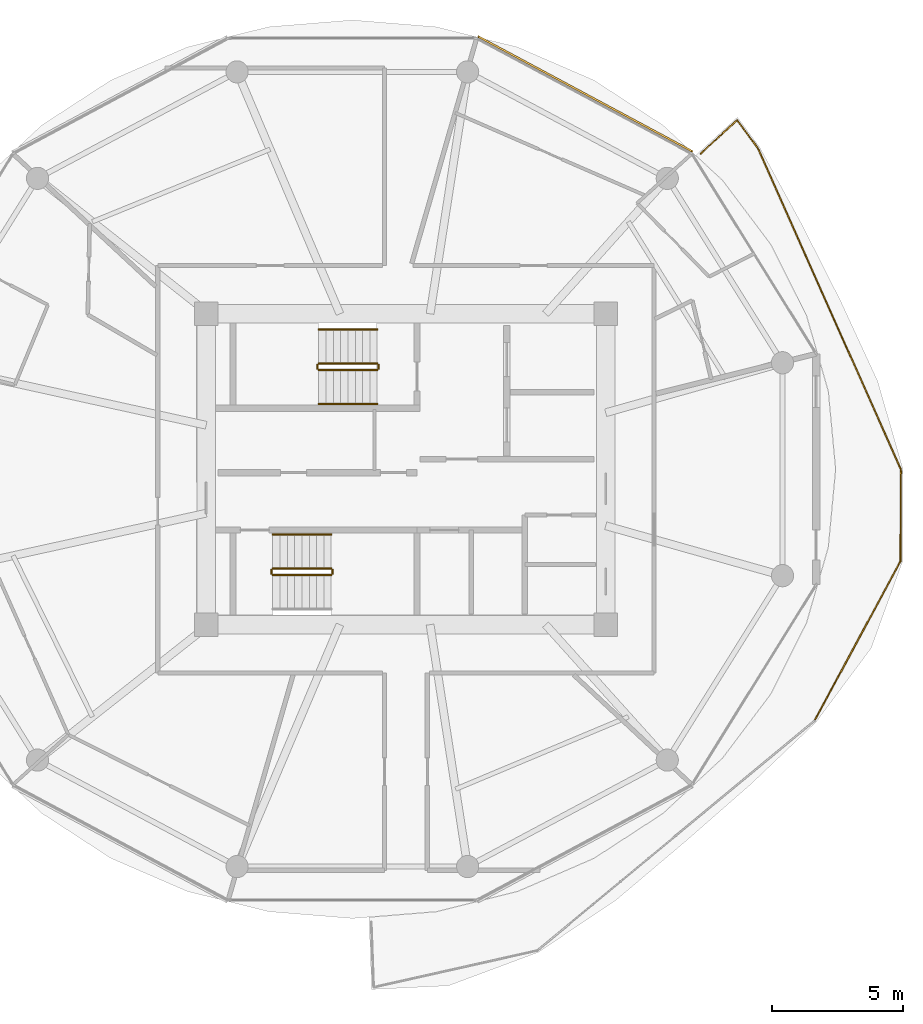
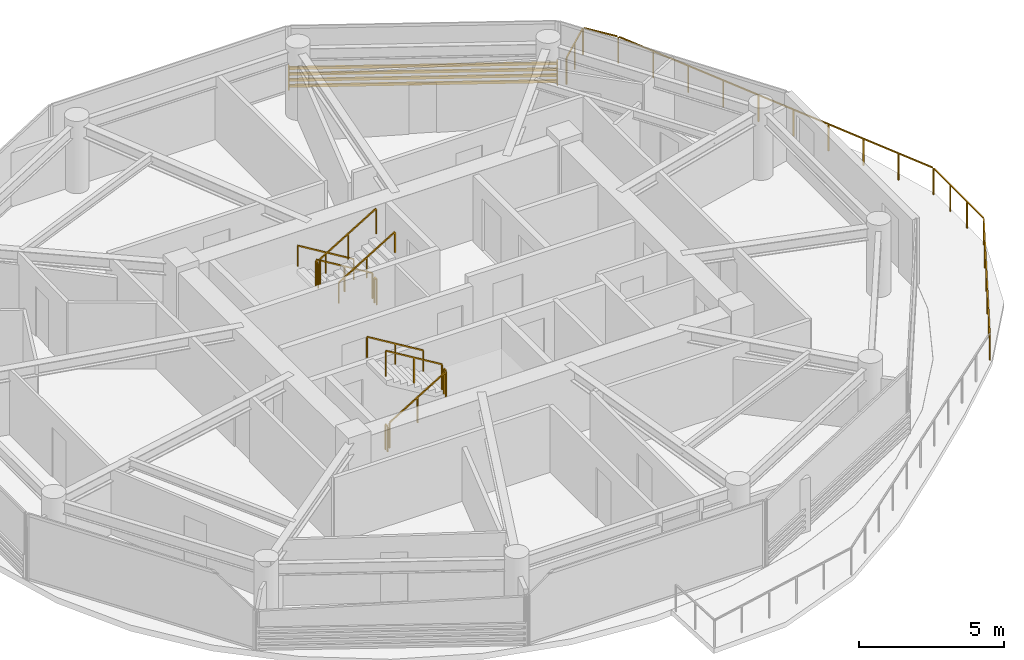
# One storey, part 22 of 22: 12 railings, 1 shading device.
"""IFC4 building model written with IfcOpenShell, lengths in metres."""

from ifc_helpers import new_model, si_unit, direction, frame, origin, origin_2d, place, context, subcontext, project, spatial, rectangle, extrude, source, transform, mapped, material, type_object, type_shapes, element, save


model = new_model("IFC4")

# Units and contexts
model_context = context("Model", 3, precision=1e-05, world=origin(), true_north=direction((0.0, 1.0)))
body_context = subcontext(model_context, "Body", "Model", "MODEL_VIEW")
ifc_project = project(units=[si_unit("LENGTHUNIT", "METRE"), si_unit("AREAUNIT", "SQUARE_METRE"), si_unit("VOLUMEUNIT", "CUBIC_METRE"), si_unit("PLANEANGLEUNIT", "RADIAN"), si_unit("MASSUNIT", "GRAM", prefix="KILO")], contexts=[model_context])

# Site, building, storey
site_placement = place(None, origin())
site = spatial("IfcSite", under=ifc_project, at=site_placement, CompositionType="ELEMENT")
building_placement = place(site_placement, origin())
building = spatial("IfcBuilding", under=site, at=building_placement, Name="Norrkilde Senior Care Towers", CompositionType="ELEMENT")
storey_placement = place(building_placement, frame((0.0, 0.0, 96.25)))
storey = spatial("IfcBuildingStorey", under=building, at=storey_placement, Name="L29", CompositionType="ELEMENT", Elevation=96.25)

# Railings
ifc_material_1 = material(Name="Anodised Aluminium", Category="aluminium")
railing_type_1 = type_object("IfcRailingType", Name="Balcony Swirl Ribbon Guardrail 1150", PredefinedType="GUARDRAIL", material=ifc_material_1)
railing_1_placement = place(storey_placement, frame((39.28173828125, 12.082763671875, 0.0)))
element("IfcRailing", 1, at=railing_1_placement, inside=storey, type_object=railing_type_1, Name="L29 Perimeter Safety Guard 02", PredefinedType="GUARDRAIL", context=body_context, shape_type="SweptSolid", body=[
    extrude(rectangle(XDim=0.048095703125, YDim=0.048095703125, at=origin_2d()), frame((0.0, 0.0, 1.1259765625), z_axis=(0.737988452356, 0.674813340257, 0.0), x_axis=(-0.674813340257, 0.737988452356, 0.0)), (0.0, 0.0, 1.0), 1.852783203125),
    extrude(rectangle(XDim=0.048095703125, YDim=0.048095703125, at=origin_2d()), frame((1.421875, 1.2451171875, 1.1259765625), z_axis=(0.596823970088, -0.802372200869, 0.0), x_axis=(0.802372200869, 0.596823970088, 0.0)), (0.0, 0.0, 1.0), 1.24853515625),
    extrude(rectangle(XDim=0.048095703125, YDim=0.048095703125, at=origin_2d()), frame((2.2080078125, 0.173095703125, 1.1259765625), z_axis=(0.406681646864, -0.91356994155, 0.0), x_axis=(0.91356994155, 0.406681646864, 0.0)), (0.0, 0.0, 1.0), 13.386474609375),
    extrude(rectangle(XDim=0.048095703125, YDim=0.048095703125, at=origin_2d()), frame((7.66845703125, -12.134521484375, 1.1259765625), z_axis=(-0.004043751362, -0.999991824004, 0.0), x_axis=(0.999991824004, -0.004043751362, 0.0)), (0.0, 0.0, 1.0), 3.419921875),
    extrude(rectangle(XDim=0.048095703125, YDim=0.048095703125, at=origin_2d()), frame((7.63525390625, -15.63134765625, 1.1259765625), z_axis=(-0.473801941217, -0.880631432836, 0.0), x_axis=(0.880631432836, -0.473801941217, 0.0)), (0.0, 0.0, 1.0), 6.89990234375),
    extrude(rectangle(XDim=0.0419921875, YDim=0.0419921875, at=origin_2d()), origin(), (0.0, 0.0, 1.0), 1.099853515625),
    extrude(rectangle(XDim=0.0419921875, YDim=0.0419921875, at=origin_2d()), frame((0.69873046875, 0.638916015625, 0.0)), (0.0, 0.0, 1.0), 1.099853515625),
    extrude(rectangle(XDim=0.0419921875, YDim=0.0419921875, at=origin_2d()), frame((1.3974609375, 1.27783203125, 0.0)), (0.0, 0.0, 1.0), 1.099853515625),
    extrude(rectangle(XDim=0.0419921875, YDim=0.0419921875, at=origin_2d()), frame((2.19140625, 0.21044921875, 0.0)), (0.0, 0.0, 1.0), 1.099853515625),
    extrude(rectangle(XDim=0.0419921875, YDim=0.0419921875, at=origin_2d()), frame((2.800048828125, -1.15673828125, 0.0)), (0.0, 0.0, 1.0), 1.099853515625),
    extrude(rectangle(XDim=0.0419921875, YDim=0.0419921875, at=origin_2d()), frame((3.40869140625, -2.52392578125, 0.0)), (0.0, 0.0, 1.0), 1.099853515625),
    extrude(rectangle(XDim=0.0419921875, YDim=0.0419921875, at=origin_2d()), frame((4.01708984375, -3.890869140625, 0.0)), (0.0, 0.0, 1.0), 1.099853515625),
    extrude(rectangle(XDim=0.0419921875, YDim=0.0419921875, at=origin_2d()), frame((4.625732421875, -5.258056640625, 0.0)), (0.0, 0.0, 1.0), 1.099853515625),
    extrude(rectangle(XDim=0.0419921875, YDim=0.0419921875, at=origin_2d()), frame((5.234375, -6.625244140625, 0.0)), (0.0, 0.0, 1.0), 1.099853515625),
    extrude(rectangle(XDim=0.0419921875, YDim=0.0419921875, at=origin_2d()), frame((5.843017578125, -7.992431640625, 0.0)), (0.0, 0.0, 1.0), 1.099853515625),
    extrude(rectangle(XDim=0.0419921875, YDim=0.0419921875, at=origin_2d()), frame((6.451416015625, -9.359375, 0.0)), (0.0, 0.0, 1.0), 1.099853515625),
    extrude(rectangle(XDim=0.0419921875, YDim=0.0419921875, at=origin_2d()), frame((7.06005859375, -10.7265625, 0.0)), (0.0, 0.0, 1.0), 1.099853515625),
    extrude(rectangle(XDim=0.0419921875, YDim=0.0419921875, at=origin_2d()), frame((7.668701171875, -12.09375, 0.0)), (0.0, 0.0, 1.0), 1.099853515625),
    extrude(rectangle(XDim=0.0419921875, YDim=0.0419921875, at=origin_2d()), frame((7.6640625, -13.260986328125, 0.0)), (0.0, 0.0, 1.0), 1.099853515625),
    extrude(rectangle(XDim=0.0419921875, YDim=0.0419921875, at=origin_2d()), frame((7.6591796875, -14.42822265625, 0.0)), (0.0, 0.0, 1.0), 1.099853515625),
    extrude(rectangle(XDim=0.0419921875, YDim=0.0419921875, at=origin_2d()), frame((7.654541015625, -15.595458984375, 0.0)), (0.0, 0.0, 1.0), 1.099853515625),
    extrude(rectangle(XDim=0.0419921875, YDim=0.0419921875, at=origin_2d()), frame((6.996826171875, -16.81787109375, 0.0)), (0.0, 0.0, 1.0), 1.099853515625),
    extrude(rectangle(XDim=0.0419921875, YDim=0.0419921875, at=origin_2d()), frame((6.339111328125, -18.040283203125, 0.0)), (0.0, 0.0, 1.0), 1.099853515625),
    extrude(rectangle(XDim=0.0419921875, YDim=0.0419921875, at=origin_2d()), frame((5.681396484375, -19.262939453125, 0.0)), (0.0, 0.0, 1.0), 1.099853515625),
    extrude(rectangle(XDim=0.0419921875, YDim=0.0419921875, at=origin_2d()), frame((5.023681640625, -20.4853515625, 0.0)), (0.0, 0.0, 1.0), 1.099853515625),
    extrude(rectangle(XDim=0.0419921875, YDim=0.0419921875, at=origin_2d()), frame((4.365966796875, -21.707763671875, 0.0)), (0.0, 0.0, 1.0), 1.099853515625),
])
ifc_material_2 = material(Name="Stainless Steel", Category="steel")
railing_type_2 = type_object("IfcRailingType", Name="Stair and Terrace Guardrail 1100", PredefinedType="GUARDRAIL", material=ifc_material_2)
railing_2_placement = place(storey_placement, frame((26.89990234375, 4.050048828125, 0.16943359375)))
element("IfcRailing", 2, at=railing_2_placement, inside=storey, type_object=railing_type_2, Name="L29 ST-E1 stair guard 1", PredefinedType="GUARDRAIL", context=body_context, shape_type="SweptSolid", body=[
    extrude(rectangle(XDim=0.048095703125, YDim=0.048095703125, at=origin_2d()), frame((0.0, 0.0, 1.076171875), z_axis=(-0.855553338991, 0.0, 0.51771467445), x_axis=(0.0, -1.0, 0.0)), (0.0, 0.0, 1.0), 2.6181640625),
    extrude(rectangle(XDim=0.0419921875, YDim=0.0419921875, at=origin_2d()), origin(), (0.0, 0.0, 1.0), 1.050048828125),
    extrude(rectangle(XDim=0.0419921875, YDim=0.0419921875, at=origin_2d()), frame((-1.1201171875, 0.0, 0.677734375)), (0.0, 0.0, 1.0), 1.050048828125),
    extrude(rectangle(XDim=0.0419921875, YDim=0.0419921875, at=origin_2d()), frame((-2.239990234375, 0.0, 1.35546875)), (0.0, 0.0, 1.0), 1.050048828125),
])
railing_3_placement = place(storey_placement, frame((24.610107421875, 4.0, 1.52490234375)))
element("IfcRailing", 3, at=railing_3_placement, inside=storey, type_object=railing_type_2, Name="L29 ST-E1 stair guard 2", PredefinedType="GUARDRAIL", context=body_context, shape_type="SweptSolid", body=[
    extrude(rectangle(XDim=0.048095703125, YDim=0.048095703125, at=origin_2d()), frame((0.0, 0.0, 1.076171875), z_axis=(0.0, -1.0, 0.0), x_axis=(1.0, 0.0, 0.0)), (0.0, 0.0, 1.0), 0.14990234375),
    extrude(rectangle(XDim=0.0419921875, YDim=0.0419921875, at=origin_2d()), origin(), (0.0, 0.0, 1.0), 1.050048828125),
    extrude(rectangle(XDim=0.0419921875, YDim=0.0419921875, at=origin_2d()), frame((0.0, -0.14990234375, 0.0)), (0.0, 0.0, 1.0), 1.050048828125),
])
railing_4_placement = place(storey_placement, frame((24.659912109375, 3.800048828125, 1.6943359375)))
element("IfcRailing", 4, at=railing_4_placement, inside=storey, type_object=railing_type_2, Name="L29 ST-E1 stair guard 3", PredefinedType="GUARDRAIL", context=body_context, shape_type="SweptSolid", body=[
    extrude(rectangle(XDim=0.048095703125, YDim=0.048095703125, at=origin_2d()), frame((0.0, 0.0, 1.076171875), z_axis=(0.855512035549, 0.0, 0.517782924622), x_axis=(0.0, 1.0, 0.0)), (0.0, 0.0, 1.0), 2.618408203125),
    extrude(rectangle(XDim=0.0419921875, YDim=0.0419921875, at=origin_2d()), origin(), (0.0, 0.0, 1.0), 1.050048828125),
    extrude(rectangle(XDim=0.0419921875, YDim=0.0419921875, at=origin_2d()), frame((1.1201171875, 0.0, 0.677734375)), (0.0, 0.0, 1.0), 1.050048828125),
    extrude(rectangle(XDim=0.0419921875, YDim=0.0419921875, at=origin_2d()), frame((2.239990234375, 0.0, 1.355712890625)), (0.0, 0.0, 1.0), 1.050048828125),
])
railing_5_placement = place(storey_placement, frame((26.949951171875, 4.0, 0.0)))
element("IfcRailing", 5, at=railing_5_placement, inside=storey, type_object=railing_type_2, Name="L29 ST-E1 stair guard 4", PredefinedType="GUARDRAIL", context=body_context, shape_type="SweptSolid", body=[
    extrude(rectangle(XDim=0.048095703125, YDim=0.048095703125, at=origin_2d()), frame((0.0, 0.0, 1.076171875), z_axis=(0.0, -1.0, 0.0), x_axis=(1.0, 0.0, 0.0)), (0.0, 0.0, 1.0), 0.14990234375),
    extrude(rectangle(XDim=0.0419921875, YDim=0.0419921875, at=origin_2d()), origin(), (0.0, 0.0, 1.0), 1.050048828125),
    extrude(rectangle(XDim=0.0419921875, YDim=0.0419921875, at=origin_2d()), frame((0.0, -0.14990234375, 0.0)), (0.0, 0.0, 1.0), 1.050048828125),
])
railing_6_placement = place(storey_placement, frame((22.89990234375, -4.050048828125, 0.16943359375)))
element("IfcRailing", 6, at=railing_6_placement, inside=storey, type_object=railing_type_2, Name="L29 ST-E2 stair guard 1", PredefinedType="GUARDRAIL", context=body_context, shape_type="SweptSolid", body=[
    extrude(rectangle(XDim=0.048095703125, YDim=0.048095703125, at=origin_2d()), frame((0.0, 0.0, 1.076171875), z_axis=(0.855553338991, 0.0, 0.51771467445), x_axis=(0.0, 1.0, 0.0)), (0.0, 0.0, 1.0), 2.6181640625),
    extrude(rectangle(XDim=0.0419921875, YDim=0.0419921875, at=origin_2d()), origin(), (0.0, 0.0, 1.0), 1.050048828125),
    extrude(rectangle(XDim=0.0419921875, YDim=0.0419921875, at=origin_2d()), frame((1.1201171875, 0.0, 0.677734375)), (0.0, 0.0, 1.0), 1.050048828125),
    extrude(rectangle(XDim=0.0419921875, YDim=0.0419921875, at=origin_2d()), frame((2.239990234375, 0.0, 1.35546875)), (0.0, 0.0, 1.0), 1.050048828125),
])
railing_7_placement = place(storey_placement, frame((25.18994140625, -4.0, 1.52490234375)))
element("IfcRailing", 7, at=railing_7_placement, inside=storey, type_object=railing_type_2, Name="L29 ST-E2 stair guard 2", PredefinedType="GUARDRAIL", context=body_context, shape_type="SweptSolid", body=[
    extrude(rectangle(XDim=0.048095703125, YDim=0.048095703125, at=origin_2d()), frame((0.0, 0.0, 1.076171875), z_axis=(0.0, 1.0, 0.0), x_axis=(-1.0, 0.0, 0.0)), (0.0, 0.0, 1.0), 0.14990234375),
    extrude(rectangle(XDim=0.0419921875, YDim=0.0419921875, at=origin_2d()), origin(), (0.0, 0.0, 1.0), 1.050048828125),
    extrude(rectangle(XDim=0.0419921875, YDim=0.0419921875, at=origin_2d()), frame((0.0, 0.14990234375, 0.0)), (0.0, 0.0, 1.0), 1.050048828125),
])
railing_8_placement = place(storey_placement, frame((25.139892578125, -3.800048828125, 1.6943359375)))
element("IfcRailing", 8, at=railing_8_placement, inside=storey, type_object=railing_type_2, Name="L29 ST-E2 stair guard 3", PredefinedType="GUARDRAIL", context=body_context, shape_type="SweptSolid", body=[
    extrude(rectangle(XDim=0.048095703125, YDim=0.048095703125, at=origin_2d()), frame((0.0, 0.0, 1.076171875), z_axis=(-0.855512035549, 0.0, 0.517782924622), x_axis=(0.0, -1.0, 0.0)), (0.0, 0.0, 1.0), 2.618408203125),
    extrude(rectangle(XDim=0.0419921875, YDim=0.0419921875, at=origin_2d()), origin(), (0.0, 0.0, 1.0), 1.050048828125),
    extrude(rectangle(XDim=0.0419921875, YDim=0.0419921875, at=origin_2d()), frame((-1.1201171875, 0.0, 0.677734375)), (0.0, 0.0, 1.0), 1.050048828125),
    extrude(rectangle(XDim=0.0419921875, YDim=0.0419921875, at=origin_2d()), frame((-2.239990234375, 0.0, 1.355712890625)), (0.0, 0.0, 1.0), 1.050048828125),
])
railing_9_placement = place(storey_placement, frame((22.85009765625, -4.0, 0.0)))
element("IfcRailing", 9, at=railing_9_placement, inside=storey, type_object=railing_type_2, Name="L29 ST-E2 stair guard 4", PredefinedType="GUARDRAIL", context=body_context, shape_type="SweptSolid", body=[
    extrude(rectangle(XDim=0.048095703125, YDim=0.048095703125, at=origin_2d()), frame((0.0, 0.0, 1.076171875), z_axis=(0.0, 1.0, 0.0), x_axis=(-1.0, 0.0, 0.0)), (0.0, 0.0, 1.0), 0.14990234375),
    extrude(rectangle(XDim=0.0419921875, YDim=0.0419921875, at=origin_2d()), origin(), (0.0, 0.0, 1.0), 1.050048828125),
    extrude(rectangle(XDim=0.0419921875, YDim=0.0419921875, at=origin_2d()), frame((0.0, 0.14990234375, 0.0)), (0.0, 0.0, 1.0), 1.050048828125),
])
ifc_material_3 = material(Name="Nordic Ash Timber", Category="wood")
railing_type_3 = type_object("IfcRailingType", Name="Wall and Stair Handrail 900", PredefinedType="HANDRAIL", material=ifc_material_3)
railing_10_placement = place(storey_placement, frame((26.89990234375, 5.35009765625, 0.16943359375)))
element("IfcRailing", 10, at=railing_10_placement, inside=storey, type_object=railing_type_3, Name="L29 ST-E1 stair handrail 1", PredefinedType="HANDRAIL", context=body_context, shape_type="SweptSolid", body=[
    extrude(rectangle(XDim=0.048095703125, YDim=0.048095703125, at=origin_2d()), frame((0.0, 0.0, 0.8759765625), z_axis=(-0.855553338991, 0.0, 0.51771467445), x_axis=(0.0, -1.0, 0.0)), (0.0, 0.0, 1.0), 2.6181640625),
    extrude(rectangle(XDim=0.0419921875, YDim=0.0419921875, at=origin_2d()), origin(), (0.0, 0.0, 1.0), 0.849853515625),
    extrude(rectangle(XDim=0.0419921875, YDim=0.0419921875, at=origin_2d()), frame((-1.1201171875, 0.0, 0.677734375)), (0.0, 0.0, 1.0), 0.849853515625),
    extrude(rectangle(XDim=0.0419921875, YDim=0.0419921875, at=origin_2d()), frame((-2.239990234375, 0.0, 1.35546875)), (0.0, 0.0, 1.0), 0.849853515625),
])
railing_11_placement = place(storey_placement, frame((24.659912109375, 2.5, 1.6943359375)))
element("IfcRailing", 11, at=railing_11_placement, inside=storey, type_object=railing_type_3, Name="L29 ST-E1 stair handrail 2", PredefinedType="HANDRAIL", context=body_context, shape_type="SweptSolid", body=[
    extrude(rectangle(XDim=0.048095703125, YDim=0.048095703125, at=origin_2d()), frame((0.0, 0.0, 0.8759765625), z_axis=(0.855512035549, 0.0, 0.517782924622), x_axis=(0.0, 1.0, 0.0)), (0.0, 0.0, 1.0), 2.618408203125),
    extrude(rectangle(XDim=0.0419921875, YDim=0.0419921875, at=origin_2d()), origin(), (0.0, 0.0, 1.0), 0.849853515625),
    extrude(rectangle(XDim=0.0419921875, YDim=0.0419921875, at=origin_2d()), frame((1.1201171875, 0.0, 0.677734375)), (0.0, 0.0, 1.0), 0.849853515625),
    extrude(rectangle(XDim=0.0419921875, YDim=0.0419921875, at=origin_2d()), frame((2.239990234375, 0.0, 1.355712890625)), (0.0, 0.0, 1.0), 0.849853515625),
])
railing_12_placement = place(storey_placement, frame((25.139892578125, -2.5, 1.6943359375)))
element("IfcRailing", 12, at=railing_12_placement, inside=storey, type_object=railing_type_3, Name="L29 ST-E2 stair handrail 2", PredefinedType="HANDRAIL", context=body_context, shape_type="SweptSolid", body=[
    extrude(rectangle(XDim=0.048095703125, YDim=0.048095703125, at=origin_2d()), frame((0.0, 0.0, 0.8759765625), z_axis=(-0.855512035549, 0.0, 0.517782924622), x_axis=(0.0, -1.0, 0.0)), (0.0, 0.0, 1.0), 2.618408203125),
    extrude(rectangle(XDim=0.0419921875, YDim=0.0419921875, at=origin_2d()), origin(), (0.0, 0.0, 1.0), 0.849853515625),
    extrude(rectangle(XDim=0.0419921875, YDim=0.0419921875, at=origin_2d()), frame((-1.1201171875, 0.0, 0.677734375)), (0.0, 0.0, 1.0), 0.849853515625),
    extrude(rectangle(XDim=0.0419921875, YDim=0.0419921875, at=origin_2d()), frame((-2.239990234375, 0.0, 1.355712890625)), (0.0, 0.0, 1.0), 0.849853515625),
])

# Shading device
ifc_material_4 = material(Name="Architectural Terracotta", Category="masonry")
shading_device_type = type_object("IfcShadingDeviceType", Name="Horizontal Terracotta Baguette Rack", PredefinedType="USERDEFINED", material=ifc_material_4)
shared_shape = source(origin(), body_context, "Body", "SweptSolid", [
    extrude(rectangle(XDim=0.070068359375, YDim=0.110107421875, at=origin_2d()), frame((0.0, 0.090087890625, 0.125), z_axis=(1.0, 0.0, 0.0), x_axis=(0.0, 1.0, 0.0)), (0.0, 0.0, 1.0), 9.3505859375),
    extrude(rectangle(XDim=0.070068359375, YDim=0.110107421875, at=origin_2d()), frame((0.0, 0.090087890625, 0.375), z_axis=(1.0, 0.0, 0.0), x_axis=(0.0, 1.0, 0.0)), (0.0, 0.0, 1.0), 9.3505859375),
    extrude(rectangle(XDim=0.070068359375, YDim=0.110107421875, at=origin_2d()), frame((0.0, 0.090087890625, 0.625), z_axis=(1.0, 0.0, 0.0), x_axis=(0.0, 1.0, 0.0)), (0.0, 0.0, 1.0), 9.3505859375),
    extrude(rectangle(XDim=0.070068359375, YDim=0.110107421875, at=origin_2d()), frame((0.0, 0.090087890625, 0.875), z_axis=(1.0, 0.0, 0.0), x_axis=(0.0, 1.0, 0.0)), (0.0, 0.0, 1.0), 9.3505859375),
    extrude(rectangle(XDim=0.050048828125, YDim=0.1552734375, at=origin_2d()), frame((0.02490234375, 0.047607421875, 0.0)), (0.0, 0.0, 1.0), 1.0),
    extrude(rectangle(XDim=0.050048828125, YDim=0.1552734375, at=origin_2d()), frame((9.32568359375, 0.047607421875, 0.0)), (0.0, 0.0, 1.0), 1.0),
])
type_shapes(shading_device_type, [shared_shape])
shading_device_placement = place(storey_placement, frame((30.70703125, 16.498046875, 0.080078125), z_axis=(0.0, 0.0, 1.0), x_axis=(0.881174934726, -0.472767624021, 0.0)))
element("IfcShadingDevice", 13, at=shading_device_placement, inside=storey, type_object=shading_device_type, Name="L29 Drum E Terracotta Baguette Screen 01", ObjectType="BAGUETTE", PredefinedType="USERDEFINED", context=body_context, shape_type="MappedRepresentation", body=[
    mapped(shared_shape, transform((0.0, 0.0, 0.0), x_axis=(1.0, 0.0, 0.0), y_axis=(0.0, 1.0, 0.0), z_axis=(0.0, 0.0, 1.0), scale=1.0)),
])

save(model, "model.ifc")
